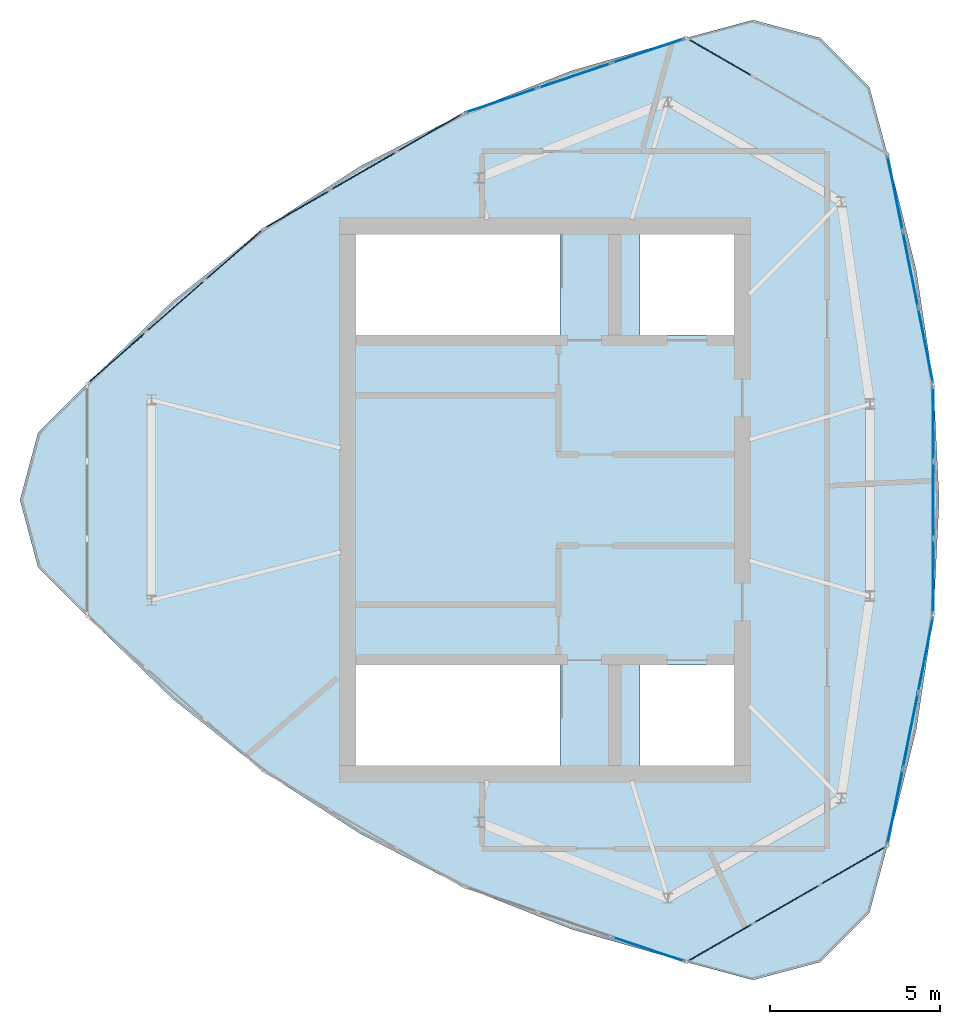
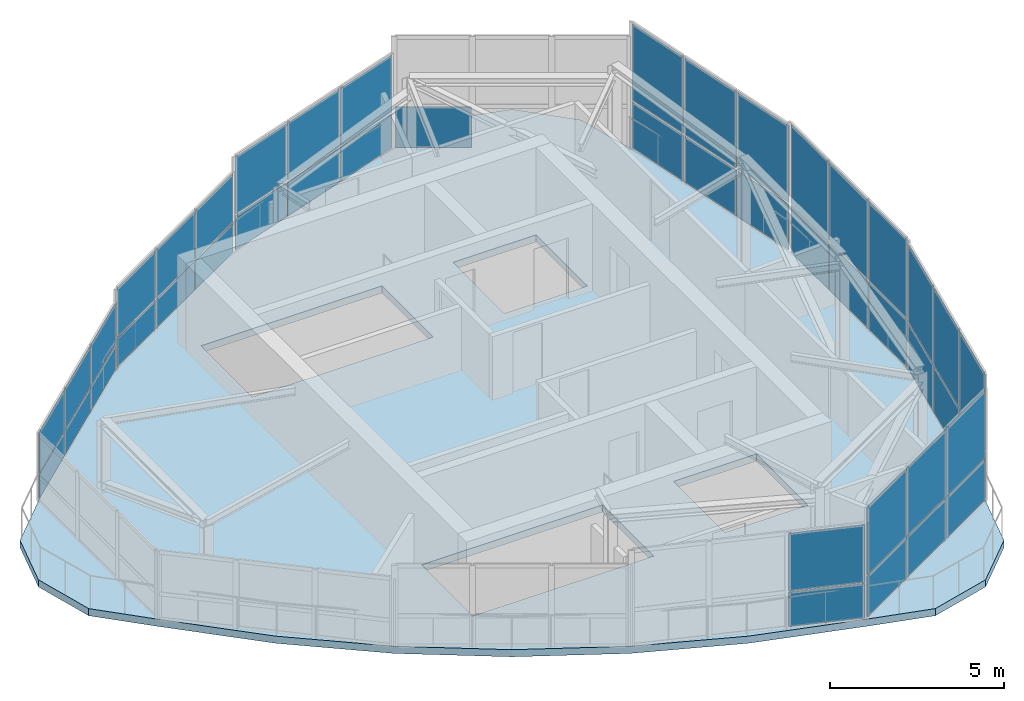
# One storey, part 6 of 9: 45 plates, 1 slab, 9 elements without a shape of their own.
"""IFC4 building model written with IfcOpenShell, lengths in metres."""

import ifcopenshell
import ifcopenshell.guid

model = None  # the IFC model being written
_history = None  # IfcOwnerHistory: only IFC2X3 demands one
_inside = {}  # id of a spatial element -> (the spatial element, [elements in it])
_under = {}  # id of a project, library or spatial element -> (it, [spatial elements below it])
_declared = {}  # id of a project -> (the project, [libraries it declares])
_typed = {}  # id of a type object -> (the type object, [elements of that type])
_made_of = {}  # id of a material, layer set ... -> (it, [elements and type objects made of it])


def new_model(schema):
    """Start an empty IFC model of exactly this schema.

    Asked for "IFC4X3", IfcOpenShell would pick the latest addendum, in which some entities
    have other attributes; the version numbers below select the first issue.
    IFC2X3 requires an IfcOwnerHistory on every rooted entity: one is made here for all.
    """
    global model, _history
    if schema == "IFC4X3":
        model = ifcopenshell.file(schema_version=(4, 3, 0, 0))
    else:
        model = ifcopenshell.file(schema=schema)
    _inside.clear()
    _under.clear()
    _declared.clear()
    _typed.clear()
    _made_of.clear()
    _history = None
    if model.schema == "IFC2X3":
        org = make("IfcOrganization", Name="unknown")
        user = make(
            "IfcPersonAndOrganization",
            ThePerson=make("IfcPerson", FamilyName="unknown"),
            TheOrganization=org,
        )
        app = make(
            "IfcApplication",
            ApplicationDeveloper=org,
            Version="unknown",
            ApplicationFullName="unknown",
            ApplicationIdentifier="unknown",
        )
        _history = make(
            "IfcOwnerHistory",
            OwningUser=user,
            OwningApplication=app,
            ChangeAction="ADDED",
            CreationDate=0,
        )
    return model


def make(cls, **values):
    """One entity of the class cls with the attributes given. An attribute that is None is left unset."""
    return model.create_entity(
        cls, **{name: value for name, value in values.items() if value is not None}
    )


def rooted(cls, **values):
    """An entity with a GlobalId (a new one), such as an element, a storey or a relation."""
    return make(cls, GlobalId=ifcopenshell.guid.new(), OwnerHistory=_history, **values)


def si_unit(unit_type, name, prefix=None):
    """IfcSIUnit, for example si_unit("LENGTHUNIT", "METRE", prefix="MILLI")."""
    return make("IfcSIUnit", UnitType=unit_type, Prefix=prefix, Name=name)


def assignment(units):
    """IfcUnitAssignment: the units of a project."""
    return None if units is None else make("IfcUnitAssignment", Units=units)


def point(xyz):
    """IfcCartesianPoint."""
    return None if xyz is None else make("IfcCartesianPoint", Coordinates=xyz)


def direction(xyz):
    """IfcDirection."""
    return None if xyz is None else make("IfcDirection", DirectionRatios=xyz)


def frame(location, z_axis=None, x_axis=None):
    """IfcAxis2Placement3D, a coordinate frame: its origin and axes. An axis left out is left unset."""
    return make(
        "IfcAxis2Placement3D",
        Location=point(location),
        Axis=direction(z_axis),
        RefDirection=direction(x_axis),
    )


def frame_2d(location, x_axis=None):
    """IfcAxis2Placement2D, a coordinate frame in the plane: its origin and x axis."""
    return make(
        "IfcAxis2Placement2D", Location=point(location), RefDirection=direction(x_axis)
    )


def origin():
    """The frame at (0, 0, 0) with its axes left unset."""
    return frame((0.0, 0.0, 0.0))


def origin_2d():
    """The frame at (0, 0) in the plane with its x axis left unset."""
    return frame_2d((0.0, 0.0))


def place(relative_to, where):
    """IfcLocalPlacement: puts the frame where relative to a parent placement (None: the world)."""
    return make(
        "IfcLocalPlacement", PlacementRelTo=relative_to, RelativePlacement=where
    )


def context(
    kind, dimensions, precision=None, world=None, true_north=None, identifier=None
):
    """IfcGeometricRepresentationContext, for example the 3D "Model" context."""
    return make(
        "IfcGeometricRepresentationContext",
        ContextIdentifier=identifier,
        ContextType=kind,
        CoordinateSpaceDimension=dimensions,
        Precision=precision,
        WorldCoordinateSystem=world,
        TrueNorth=true_north,
    )


def subcontext(parent, identifier, kind, view, scale=None):
    """IfcGeometricRepresentationSubContext, for example "Body" below "Model"."""
    return make(
        "IfcGeometricRepresentationSubContext",
        ContextIdentifier=identifier,
        ContextType=kind,
        ParentContext=parent,
        TargetScale=scale,
        TargetView=view,
    )


def project(units=None, contexts=None):
    """IfcProject with its units and contexts."""
    return rooted(
        "IfcProject",
        Name="project",
        RepresentationContexts=contexts,
        UnitsInContext=assignment(units),
    )


def spatial(cls, under=None, at=None, **own):
    """A site, building, storey or space (cls), placed at a placement, below another one or the project."""
    s = rooted(cls, ObjectPlacement=at, **own)
    if under is not None:
        _under.setdefault(under.id(), (under, []))[1].append(s)
    return s


def polyline(points):
    """IfcPolyline through the points."""
    return make("IfcPolyline", Points=[point(p) for p in points])


def profile(cls, at=None, kind="AREA", **sizes):
    """A parametric profile (cls). Its sizes go by their IFC names, for example OverallWidth=200.0."""
    return make(cls, ProfileType=kind, Position=at, **sizes)


def rectangle(**sizes):
    """IfcRectangleProfileDef."""
    return profile("IfcRectangleProfileDef", **sizes)


def outline(outer, holes=None, kind="AREA"):
    """IfcArbitraryClosedProfileDef: a profile drawn as a closed curve; with holes, ...WithVoids."""
    if holes is None:
        return make("IfcArbitraryClosedProfileDef", ProfileType=kind, OuterCurve=outer)
    return make(
        "IfcArbitraryProfileDefWithVoids",
        ProfileType=kind,
        OuterCurve=outer,
        InnerCurves=holes,
    )


def extrude(swept, where, along, depth):
    """IfcExtrudedAreaSolid: the profile swept, set in the frame where, extruded along a direction by depth."""
    return make(
        "IfcExtrudedAreaSolid",
        SweptArea=swept,
        Position=where,
        ExtrudedDirection=direction(along),
        Depth=depth,
    )


def shape(context_of_items, identifier, shape_type, items):
    """IfcShapeRepresentation: the items that make up one representation, for example the "Body"."""
    return make(
        "IfcShapeRepresentation",
        ContextOfItems=context_of_items,
        RepresentationIdentifier=identifier,
        RepresentationType=shape_type,
        Items=items,
    )


def source(mapping_origin, context_of_items, identifier, shape_type, items):
    """IfcRepresentationMap: a shape defined once, which mapped items show again and again."""
    return make(
        "IfcRepresentationMap",
        MappingOrigin=mapping_origin,
        MappedRepresentation=shape(context_of_items, identifier, shape_type, items),
    )


def transform(
    local_origin,
    x_axis=None,
    y_axis=None,
    z_axis=None,
    scale=None,
    scale2=None,
    scale3=None,
    uniform=True,
):
    """IfcCartesianTransformationOperator3D, or its non-uniform kind. x_axis, y_axis, z_axis: its Axis1, 2, 3."""
    if uniform:
        return make(
            "IfcCartesianTransformationOperator3D",
            Axis1=direction(x_axis),
            Axis2=direction(y_axis),
            LocalOrigin=point(local_origin),
            Scale=scale,
            Axis3=direction(z_axis),
        )
    return make(
        "IfcCartesianTransformationOperator3DnonUniform",
        Axis1=direction(x_axis),
        Axis2=direction(y_axis),
        LocalOrigin=point(local_origin),
        Scale=scale,
        Axis3=direction(z_axis),
        Scale2=scale2,
        Scale3=scale3,
    )


def mapped(mapping_source, mapping_target):
    """IfcMappedItem: shows the shape of a source again, moved by a transform."""
    return make(
        "IfcMappedItem", MappingSource=mapping_source, MappingTarget=mapping_target
    )


def material(Name=None, Category=None):
    """IfcMaterial."""
    return make("IfcMaterial", Name=Name, Category=Category)


def layer(
    of_material, thickness, ventilated=None, Name=None, Category=None, Priority=None
):
    """IfcMaterialLayer: one layer of a wall or slab, of a material (None: an air gap)."""
    return make(
        "IfcMaterialLayer",
        Material=of_material,
        LayerThickness=thickness,
        IsVentilated=ventilated,
        Name=Name,
        Category=Category,
        Priority=Priority,
    )


def layer_set(layers, Name=None):
    """IfcMaterialLayerSet."""
    return make("IfcMaterialLayerSet", MaterialLayers=layers, LayerSetName=Name)


def made_of(thing, what):
    """Note that an element or type object is made of a material, layer set ...; save() writes the relation."""
    if what is not None:
        _made_of.setdefault(what.id(), (what, []))[1].append(thing)
    return thing


def type_object(cls, material=None, **own):
    """A type object (cls), such as IfcWallType, which elements share."""
    return made_of(rooted(cls, **own), material)


def element(
    cls,
    number,
    at=None,
    inside=None,
    cuts=None,
    type_object=None,
    material=None,
    context=None,
    identifier="Body",
    shape_type=None,
    held_by="IfcProductDefinitionShape",
    body=None,
    shapes=None,
    **own,
):
    """One element of the class cls, such as IfcWall. Its Tag is "e" and its number.

    at: its placement. inside: the storey or other place that contains it. cuts: it is an
    opening in that element (IfcRelVoidsElement). A single representation is given by context,
    identifier, shape_type and body (its items); several are given by shapes. held_by: the class
    of the entity that holds the representations. save() writes the other relations.
    """
    e = rooted(cls, Tag="e%d" % number, ObjectPlacement=at, **own)
    if body is not None:
        shapes = [shape(context, identifier, shape_type, body)]
    if shapes is not None:
        e.Representation = make(held_by, Representations=shapes)
    if inside is not None:
        _inside.setdefault(inside.id(), (inside, []))[1].append(e)
    if cuts is not None:
        rooted(
            "IfcRelVoidsElement", RelatingBuildingElement=cuts, RelatedOpeningElement=e
        )
    if type_object is not None:
        _typed.setdefault(type_object.id(), (type_object, []))[1].append(e)
    return made_of(e, material)


def aggregate(whole, parts):
    """IfcRelAggregates: a whole, such as a stair, and the parts it consists of."""
    return rooted("IfcRelAggregates", RelatingObject=whole, RelatedObjects=parts)


def save(model, path):
    """Write the relations noted so far, then the file.

    IfcRelAggregates (storeys below a building ...), IfcRelContainedInSpatialStructure (elements
    in a storey), IfcRelDefinesByType, IfcRelAssociatesMaterial and IfcRelDeclares: one each for
    every whole, place, type object, material and project.
    """
    for whole, parts in _under.values():
        aggregate(whole, parts)
    for where, things in _inside.values():
        rooted(
            "IfcRelContainedInSpatialStructure",
            RelatedElements=things,
            RelatingStructure=where,
        )
    for kind, things in _typed.values():
        rooted("IfcRelDefinesByType", RelatedObjects=things, RelatingType=kind)
    for what, things in _made_of.values():
        rooted("IfcRelAssociatesMaterial", RelatedObjects=things, RelatingMaterial=what)
    for by, libraries in _declared.values():
        rooted("IfcRelDeclares", RelatingContext=by, RelatedDefinitions=libraries)
    model.write(path)


model = new_model("IFC4")

# Units and contexts
model_context = context("Model", 3, precision=1e-05, world=origin(), true_north=direction((0.0, 1.0)))
body_context = subcontext(model_context, "Body", "Model", "MODEL_VIEW")
ifc_project = project(units=[si_unit("LENGTHUNIT", "METRE"), si_unit("AREAUNIT", "SQUARE_METRE"), si_unit("VOLUMEUNIT", "CUBIC_METRE"), si_unit("PLANEANGLEUNIT", "RADIAN"), si_unit("MASSUNIT", "GRAM", prefix="KILO")], contexts=[model_context])

# Site, building, storey
site_placement = place(None, origin())
site = spatial("IfcSite", under=ifc_project, at=site_placement, CompositionType="ELEMENT")
building_placement = place(site_placement, origin())
building = spatial("IfcBuilding", under=site, at=building_placement, Name="Qafzar Sky-Pleat Residences", CompositionType="ELEMENT")
storey_placement = place(building_placement, frame((0.0, 0.0, 274.699951171875)))
storey = spatial("IfcBuildingStorey", under=building, at=storey_placement, Name="L81 Crown", CompositionType="ELEMENT", Elevation=274.699951171875)

# Slab
ifc_material_1 = material(Name="Concrete C40/50", Category="concrete")
ifc_layer_1 = layer(ifc_material_1, 0.25)
ifc_layer_set_1 = layer_set([ifc_layer_1], Name="Concrete C40/50")
slab_type = type_object("IfcSlabType", Name="SLAB-FLR-250", PredefinedType="FLOOR", material=ifc_layer_set_1)
slab_placement = place(storey_placement, frame((0.0, 0.0, -0.25)))
element("IfcSlab", 1, at=slab_placement, inside=storey, type_object=slab_type, Name="L81 Crown Crown Plant Floor Slab", PredefinedType="FLOOR", context=body_context, shape_type="SweptSolid", body=[
    extrude(outline(polyline([(16.885498046875, 29.41552734375), (15.44189453125, 27.971923828125), (14.91357421875, 26.0), (15.44189453125, 24.028076171875), (16.885498046875, 22.58447265625), (19.3974609375, 20.155517578125), (22.078857421875, 18.0205078125), (24.9296875, 16.1787109375), (27.949951171875, 14.630615234375), (31.139892578125, 13.376220703125), (34.499267578125, 12.4150390625), (36.47119140625, 11.88671875), (38.443115234375, 12.4150390625), (39.88671875, 13.858642578125), (40.415283203125, 15.830810546875), (41.2626953125, 19.220458984375), (41.77099609375, 22.610107421875), (41.940673828125, 26.0), (41.77099609375, 29.389892578125), (41.2626953125, 32.779541015625), (40.415283203125, 36.169189453125), (39.88671875, 38.141357421875), (38.443115234375, 39.5849609375), (36.47119140625, 40.11328125), (34.499267578125, 39.5849609375), (31.139892578125, 38.623779296875), (27.949951171875, 37.369384765625), (24.9296875, 35.8212890625), (22.078857421875, 33.9794921875), (19.3974609375, 31.844482421875), (16.885498046875, 29.41552734375)]), holes=[polyline([(30.797119140625, 21.14990234375), (24.800048828125, 21.14990234375), (24.800048828125, 18.199951171875), (30.797119140625, 18.199951171875), (30.797119140625, 21.14990234375)]), polyline([(30.797119140625, 33.800048828125), (24.800048828125, 33.800048828125), (24.800048828125, 30.85009765625), (30.797119140625, 30.85009765625), (30.797119140625, 33.800048828125)]), polyline([(33.14990234375, 18.199951171875), (35.89990234375, 18.199951171875), (35.89990234375, 21.14990234375), (33.14990234375, 21.14990234375), (33.14990234375, 18.199951171875)]), polyline([(33.14990234375, 30.85009765625), (35.89990234375, 30.85009765625), (35.89990234375, 33.800048828125), (33.14990234375, 33.800048828125), (33.14990234375, 30.85009765625)])]), origin(), (0.0, 0.0, 1.0), 0.25),
])

# Curtain wall, plates
ifc_material_2 = material(Name="Anodised bronze aluminium framing", Category="aluminium")
ifc_layer_2 = layer(ifc_material_2, 0.179931640625)
ifc_layer_set_2 = layer_set([ifc_layer_2], Name="Anodised bronze aluminium framing")
curtain_wall_type = type_object("IfcCurtainWallType", Name="CW-SYS-06", PredefinedType="NOTDEFINED", material=ifc_layer_set_2)
curtain_wall_1_placement = place(storey_placement, origin())
curtain_wall_1 = element("IfcCurtainWall", 2, at=curtain_wall_1_placement, inside=storey, type_object=curtain_wall_type, Name="L81 Crown CW-06 Curtain Wall CW-CROWN-06-12", PredefinedType="NOTDEFINED")
ifc_material_3 = material(Name="Solar-control double low-E glazing", Category="glass")
ifc_layer_3 = layer(ifc_material_3, 0.02587890625)
ifc_layer_set_3 = layer_set([ifc_layer_3], Name="Solar-control double low-E glazing")
plate_type = type_object("IfcPlateType", Name="CWP-06", PredefinedType="CURTAIN_PANEL", material=ifc_layer_set_3)
shared_shape_1 = source(origin(), body_context, "Body", "SweptSolid", [
    extrude(rectangle(XDim=2.214599609375, YDim=0.02587890625, at=origin_2d()), origin(), (0.0, 0.0, 1.0), 0.822998046875),
])
plate_1_placement = place(storey_placement, frame((21.201904296875, 33.208984375, 0.06005859375), z_axis=(0.0, 0.0, 1.0), x_axis=(-0.7511449033, -0.660137360136, 0.0)))
plate_1 = element("IfcPlate", 3, at=plate_1_placement, type_object=plate_type, Name="CW-06 panel 1.1", PredefinedType="CURTAIN_PANEL", context=body_context, shape_type="MappedRepresentation", body=[
    mapped(shared_shape_1, transform((0.0, 0.0, 0.0), x_axis=(1.0, 0.0, 0.0), y_axis=(0.0, 1.0, 0.0), z_axis=(0.0, 0.0, 1.0), scale=1.0)),
])
plate_2_placement = place(storey_placement, frame((17.762451171875, 30.186279296875, 0.06005859375), z_axis=(0.0, 0.0, 1.0), x_axis=(-0.7511449033, -0.660137360136, 0.0)))
plate_2 = element("IfcPlate", 4, at=plate_2_placement, type_object=plate_type, Name="CW-06 panel 3.1", PredefinedType="CURTAIN_PANEL", context=body_context, shape_type="MappedRepresentation", body=[
    mapped(shared_shape_1, transform((0.0, 0.0, 0.0), x_axis=(1.0, 0.0, 0.0), y_axis=(0.0, 1.0, 0.0), z_axis=(0.0, 0.0, 1.0), scale=1.0)),
])
shared_shape_2 = source(origin(), body_context, "Body", "SweptSolid", [
    extrude(rectangle(XDim=2.214599609375, YDim=0.02587890625, at=origin_2d()), origin(), (0.0, 0.0, 1.0), 1.39990234375),
])
plate_3_placement = place(storey_placement, frame((21.201904296875, 33.208984375, 0.943115234375), z_axis=(0.0, 0.0, 1.0), x_axis=(-0.7511449033, -0.660137360136, 0.0)))
plate_3 = element("IfcPlate", 5, at=plate_3_placement, type_object=plate_type, Name="CW-06 panel 1.2", PredefinedType="CURTAIN_PANEL", context=body_context, shape_type="MappedRepresentation", body=[
    mapped(shared_shape_2, transform((0.0, 0.0, 0.0), x_axis=(1.0, 0.0, 0.0), y_axis=(0.0, 1.0, 0.0), z_axis=(0.0, 0.0, 1.0), scale=1.0)),
])
plate_4_placement = place(storey_placement, frame((17.762451171875, 30.186279296875, 0.943115234375), z_axis=(0.0, 0.0, 1.0), x_axis=(-0.7511449033, -0.660137360136, 0.0)))
plate_4 = element("IfcPlate", 6, at=plate_4_placement, type_object=plate_type, Name="CW-06 panel 3.2", PredefinedType="CURTAIN_PANEL", context=body_context, shape_type="MappedRepresentation", body=[
    mapped(shared_shape_2, transform((0.0, 0.0, 0.0), x_axis=(1.0, 0.0, 0.0), y_axis=(0.0, 1.0, 0.0), z_axis=(0.0, 0.0, 1.0), scale=1.0)),
])
shared_shape_3 = source(origin(), body_context, "Body", "SweptSolid", [
    extrude(rectangle(XDim=2.24462890625, YDim=0.02587890625, at=origin_2d()), origin(), (0.0, 0.0, 1.0), 0.822998046875),
])
plate_5_placement = place(storey_placement, frame((19.482177734375, 31.697509765625, 0.06005859375), z_axis=(0.0, 0.0, 1.0), x_axis=(-0.7511449033, -0.660137360136, 0.0)))
plate_5 = element("IfcPlate", 7, at=plate_5_placement, type_object=plate_type, Name="CW-06 panel 2.1", PredefinedType="CURTAIN_PANEL", context=body_context, shape_type="MappedRepresentation", body=[
    mapped(shared_shape_3, transform((0.0, 0.0, 0.0), x_axis=(1.0, 0.0, 0.0), y_axis=(0.0, 1.0, 0.0), z_axis=(0.0, 0.0, 1.0), scale=1.0)),
])
shared_shape_4 = source(origin(), body_context, "Body", "SweptSolid", [
    extrude(rectangle(XDim=2.24462890625, YDim=0.02587890625, at=origin_2d()), origin(), (0.0, 0.0, 1.0), 1.39990234375),
])
plate_6_placement = place(storey_placement, frame((19.482177734375, 31.697509765625, 0.943115234375), z_axis=(0.0, 0.0, 1.0), x_axis=(-0.7511449033, -0.660137360136, 0.0)))
plate_6 = element("IfcPlate", 8, at=plate_6_placement, type_object=plate_type, Name="CW-06 panel 2.2", PredefinedType="CURTAIN_PANEL", context=body_context, shape_type="MappedRepresentation", body=[
    mapped(shared_shape_4, transform((0.0, 0.0, 0.0), x_axis=(1.0, 0.0, 0.0), y_axis=(0.0, 1.0, 0.0), z_axis=(0.0, 0.0, 1.0), scale=1.0)),
])
aggregate(curtain_wall_1, [plate_1, plate_3, plate_5, plate_6, plate_2, plate_4])

curtain_wall_2_placement = place(storey_placement, origin())
curtain_wall_2 = element("IfcCurtainWall", 9, at=curtain_wall_2_placement, inside=storey, type_object=curtain_wall_type, Name="L81 Crown CW-06 Curtain Wall CW-CROWN-06-11", PredefinedType="NOTDEFINED")
shared_shape_5 = source(origin(), body_context, "Body", "SweptSolid", [
    extrude(rectangle(XDim=2.169921875, YDim=0.02587890625, at=origin_2d()), origin(), (0.0, 0.0, 1.0), 0.995849609375),
])
plate_7_placement = place(storey_placement, frame((26.95849609375, 36.796875, 0.06005859375), z_axis=(0.0, 0.0, 1.0), x_axis=(-0.866027888398, -0.499995696498, 0.0)))
plate_7 = element("IfcPlate", 10, at=plate_7_placement, type_object=plate_type, Name="CW-06 panel 1.1", PredefinedType="CURTAIN_PANEL", context=body_context, shape_type="MappedRepresentation", body=[
    mapped(shared_shape_5, transform((0.0, 0.0, 0.0), x_axis=(1.0, 0.0, 0.0), y_axis=(0.0, 1.0, 0.0), z_axis=(0.0, 0.0, 1.0), scale=1.0)),
])
plate_8_placement = place(storey_placement, frame((23.0703125, 34.552001953125, 0.06005859375), z_axis=(0.0, 0.0, 1.0), x_axis=(-0.866027888398, -0.499995696498, 0.0)))
plate_8 = element("IfcPlate", 11, at=plate_8_placement, type_object=plate_type, Name="CW-06 panel 3.1", PredefinedType="CURTAIN_PANEL", context=body_context, shape_type="MappedRepresentation", body=[
    mapped(shared_shape_5, transform((0.0, 0.0, 0.0), x_axis=(1.0, 0.0, 0.0), y_axis=(0.0, 1.0, 0.0), z_axis=(0.0, 0.0, 1.0), scale=1.0)),
])
shared_shape_6 = source(origin(), body_context, "Body", "SweptSolid", [
    extrude(rectangle(XDim=2.169921875, YDim=0.02587890625, at=origin_2d()), origin(), (0.0, 0.0, 1.0), 1.681396484375),
])
plate_9_placement = place(storey_placement, frame((26.95849609375, 36.796875, 1.11572265625), z_axis=(0.0, 0.0, 1.0), x_axis=(-0.866027888398, -0.499995696498, 0.0)))
plate_9 = element("IfcPlate", 12, at=plate_9_placement, type_object=plate_type, Name="CW-06 panel 1.2", PredefinedType="CURTAIN_PANEL", context=body_context, shape_type="MappedRepresentation", body=[
    mapped(shared_shape_6, transform((0.0, 0.0, 0.0), x_axis=(1.0, 0.0, 0.0), y_axis=(0.0, 1.0, 0.0), z_axis=(0.0, 0.0, 1.0), scale=1.0)),
])
plate_10_placement = place(storey_placement, frame((23.0703125, 34.552001953125, 1.11572265625), z_axis=(0.0, 0.0, 1.0), x_axis=(-0.866027888398, -0.499995696498, 0.0)))
plate_10 = element("IfcPlate", 13, at=plate_10_placement, type_object=plate_type, Name="CW-06 panel 3.2", PredefinedType="CURTAIN_PANEL", context=body_context, shape_type="MappedRepresentation", body=[
    mapped(shared_shape_6, transform((0.0, 0.0, 0.0), x_axis=(1.0, 0.0, 0.0), y_axis=(0.0, 1.0, 0.0), z_axis=(0.0, 0.0, 1.0), scale=1.0)),
])
shared_shape_7 = source(origin(), body_context, "Body", "SweptSolid", [
    extrude(rectangle(XDim=2.19970703125, YDim=0.02587890625, at=origin_2d()), origin(), (0.0, 0.0, 1.0), 0.995849609375),
])
plate_11_placement = place(storey_placement, frame((25.014404296875, 35.674560546875, 0.06005859375), z_axis=(0.0, 0.0, 1.0), x_axis=(-0.866027888398, -0.499995696498, 0.0)))
plate_11 = element("IfcPlate", 14, at=plate_11_placement, type_object=plate_type, Name="CW-06 panel 2.1", PredefinedType="CURTAIN_PANEL", context=body_context, shape_type="MappedRepresentation", body=[
    mapped(shared_shape_7, transform((0.0, 0.0, 0.0), x_axis=(1.0, 0.0, 0.0), y_axis=(0.0, 1.0, 0.0), z_axis=(0.0, 0.0, 1.0), scale=1.0)),
])
shared_shape_8 = source(origin(), body_context, "Body", "SweptSolid", [
    extrude(rectangle(XDim=2.19970703125, YDim=0.02587890625, at=origin_2d()), origin(), (0.0, 0.0, 1.0), 1.681396484375),
])
plate_12_placement = place(storey_placement, frame((25.014404296875, 35.674560546875, 1.11572265625), z_axis=(0.0, 0.0, 1.0), x_axis=(-0.866027888398, -0.499995696498, 0.0)))
plate_12 = element("IfcPlate", 15, at=plate_12_placement, type_object=plate_type, Name="CW-06 panel 2.2", PredefinedType="CURTAIN_PANEL", context=body_context, shape_type="MappedRepresentation", body=[
    mapped(shared_shape_8, transform((0.0, 0.0, 0.0), x_axis=(1.0, 0.0, 0.0), y_axis=(0.0, 1.0, 0.0), z_axis=(0.0, 0.0, 1.0), scale=1.0)),
])
aggregate(curtain_wall_2, [plate_7, plate_9, plate_11, plate_12, plate_8, plate_10])

# Curtain wall, plate
curtain_wall_3_placement = place(storey_placement, origin())
curtain_wall_3 = element("IfcCurtainWall", 16, at=curtain_wall_3_placement, inside=storey, type_object=curtain_wall_type, Name="L81 Crown CW-06 Curtain Wall CW-CROWN-06-04", PredefinedType="NOTDEFINED")
shared_shape_9 = source(origin(), body_context, "Body", "SweptSolid", [
    extrude(rectangle(XDim=2.214599609375, YDim=0.02587890625, at=origin_2d()), origin(), (0.0, 0.0, 1.0), 1.19091796875),
])
plate_13_placement = place(storey_placement, frame((33.3935546875, 12.7890625, 0.06005859375), z_axis=(0.0, 0.0, 1.0), x_axis=(0.947262179954, -0.320459611229, 0.0)))
plate_13 = element("IfcPlate", 17, at=plate_13_placement, type_object=plate_type, Name="CW-06 panel 3.1", PredefinedType="CURTAIN_PANEL", context=body_context, shape_type="MappedRepresentation", body=[
    mapped(shared_shape_9, transform((0.0, 0.0, 0.0), x_axis=(1.0, 0.0, 0.0), y_axis=(0.0, 1.0, 0.0), z_axis=(0.0, 0.0, 1.0), scale=1.0)),
])

# Curtain wall, plates
curtain_wall_4_placement = place(storey_placement, origin())
curtain_wall_4 = element("IfcCurtainWall", 18, at=curtain_wall_4_placement, inside=storey, type_object=curtain_wall_type, Name="L81 Crown CW-06 Curtain Wall CW-CROWN-06-10", PredefinedType="NOTDEFINED")
plate_14_placement = place(storey_placement, frame((33.3935546875, 39.2109375, 0.06005859375), z_axis=(0.0, 0.0, 1.0), x_axis=(-0.947262179954, -0.320459611229, 0.0)))
plate_14 = element("IfcPlate", 19, at=plate_14_placement, type_object=plate_type, Name="CW-06 panel 1.1", PredefinedType="CURTAIN_PANEL", context=body_context, shape_type="MappedRepresentation", body=[
    mapped(shared_shape_9, transform((0.0, 0.0, 0.0), x_axis=(1.0, 0.0, 0.0), y_axis=(0.0, 1.0, 0.0), z_axis=(0.0, 0.0, 1.0), scale=1.0)),
])
plate_15_placement = place(storey_placement, frame((29.0556640625, 37.743408203125, 0.06005859375), z_axis=(0.0, 0.0, 1.0), x_axis=(-0.947262179954, -0.320459611229, 0.0)))
plate_15 = element("IfcPlate", 20, at=plate_15_placement, type_object=plate_type, Name="CW-06 panel 3.1", PredefinedType="CURTAIN_PANEL", context=body_context, shape_type="MappedRepresentation", body=[
    mapped(shared_shape_9, transform((0.0, 0.0, 0.0), x_axis=(1.0, 0.0, 0.0), y_axis=(0.0, 1.0, 0.0), z_axis=(0.0, 0.0, 1.0), scale=1.0)),
])

# Plate
shared_shape_10 = source(origin(), body_context, "Body", "SweptSolid", [
    extrude(rectangle(XDim=2.214599609375, YDim=0.02587890625, at=origin_2d()), origin(), (0.0, 0.0, 1.0), 2.0),
])
plate_16_placement = place(storey_placement, frame((33.3935546875, 12.7890625, 1.31103515625), z_axis=(0.0, 0.0, 1.0), x_axis=(0.947262179954, -0.320459611229, 0.0)))
plate_16 = element("IfcPlate", 21, at=plate_16_placement, type_object=plate_type, Name="CW-06 panel 3.2", PredefinedType="CURTAIN_PANEL", context=body_context, shape_type="MappedRepresentation", body=[
    mapped(shared_shape_10, transform((0.0, 0.0, 0.0), x_axis=(1.0, 0.0, 0.0), y_axis=(0.0, 1.0, 0.0), z_axis=(0.0, 0.0, 1.0), scale=1.0)),
])

aggregate(curtain_wall_3, [plate_13, plate_16])

plate_17_placement = place(storey_placement, frame((33.3935546875, 39.2109375, 1.31103515625), z_axis=(0.0, 0.0, 1.0), x_axis=(-0.947262179954, -0.320459611229, 0.0)))
plate_17 = element("IfcPlate", 22, at=plate_17_placement, type_object=plate_type, Name="CW-06 panel 1.2", PredefinedType="CURTAIN_PANEL", context=body_context, shape_type="MappedRepresentation", body=[
    mapped(shared_shape_10, transform((0.0, 0.0, 0.0), x_axis=(1.0, 0.0, 0.0), y_axis=(0.0, 1.0, 0.0), z_axis=(0.0, 0.0, 1.0), scale=1.0)),
])

plate_18_placement = place(storey_placement, frame((29.0556640625, 37.743408203125, 1.31103515625), z_axis=(0.0, 0.0, 1.0), x_axis=(-0.947262179954, -0.320459611229, 0.0)))
plate_18 = element("IfcPlate", 23, at=plate_18_placement, type_object=plate_type, Name="CW-06 panel 3.2", PredefinedType="CURTAIN_PANEL", context=body_context, shape_type="MappedRepresentation", body=[
    mapped(shared_shape_10, transform((0.0, 0.0, 0.0), x_axis=(1.0, 0.0, 0.0), y_axis=(0.0, 1.0, 0.0), z_axis=(0.0, 0.0, 1.0), scale=1.0)),
])

shared_shape_11 = source(origin(), body_context, "Body", "SweptSolid", [
    extrude(rectangle(XDim=2.24462890625, YDim=0.02587890625, at=origin_2d()), origin(), (0.0, 0.0, 1.0), 1.19091796875),
])
plate_19_placement = place(storey_placement, frame((31.224609375, 38.47705078125, 0.06005859375), z_axis=(0.0, 0.0, 1.0), x_axis=(-0.947262179954, -0.320459611229, 0.0)))
plate_19 = element("IfcPlate", 24, at=plate_19_placement, type_object=plate_type, Name="CW-06 panel 2.1", PredefinedType="CURTAIN_PANEL", context=body_context, shape_type="MappedRepresentation", body=[
    mapped(shared_shape_11, transform((0.0, 0.0, 0.0), x_axis=(1.0, 0.0, 0.0), y_axis=(0.0, 1.0, 0.0), z_axis=(0.0, 0.0, 1.0), scale=1.0)),
])

shared_shape_12 = source(origin(), body_context, "Body", "SweptSolid", [
    extrude(rectangle(XDim=2.24462890625, YDim=0.02587890625, at=origin_2d()), origin(), (0.0, 0.0, 1.0), 2.0),
])
plate_20_placement = place(storey_placement, frame((31.224609375, 38.47705078125, 1.31103515625), z_axis=(0.0, 0.0, 1.0), x_axis=(-0.947262179954, -0.320459611229, 0.0)))
plate_20 = element("IfcPlate", 25, at=plate_20_placement, type_object=plate_type, Name="CW-06 panel 2.2", PredefinedType="CURTAIN_PANEL", context=body_context, shape_type="MappedRepresentation", body=[
    mapped(shared_shape_12, transform((0.0, 0.0, 0.0), x_axis=(1.0, 0.0, 0.0), y_axis=(0.0, 1.0, 0.0), z_axis=(0.0, 0.0, 1.0), scale=1.0)),
])

aggregate(curtain_wall_4, [plate_14, plate_17, plate_19, plate_20, plate_15, plate_18])

# Curtain wall, plates
curtain_wall_5_placement = place(storey_placement, origin())
curtain_wall_5 = element("IfcCurtainWall", 26, at=curtain_wall_5_placement, inside=storey, type_object=curtain_wall_type, Name="L81 Crown CW-06 Curtain Wall CW-CROWN-06-05", PredefinedType="NOTDEFINED")
shared_shape_13 = source(origin(), body_context, "Body", "SweptSolid", [
    extrude(rectangle(XDim=2.18701171875, YDim=0.02587890625, at=origin_2d()), origin(), (0.0, 0.0, 1.0), 1.40869140625),
])
plate_21_placement = place(storey_placement, frame((35.498291015625, 12.991943359375, 0.06005859375), z_axis=(0.0, 0.0, 1.0), x_axis=(0.866025669537, 0.499999539703, 0.0)))
plate_21 = element("IfcPlate", 27, at=plate_21_placement, type_object=plate_type, Name="CW-06 panel 1.1", PredefinedType="CURTAIN_PANEL", context=body_context, shape_type="MappedRepresentation", body=[
    mapped(shared_shape_13, transform((0.0, 0.0, 0.0), x_axis=(1.0, 0.0, 0.0), y_axis=(0.0, 1.0, 0.0), z_axis=(0.0, 0.0, 1.0), scale=1.0)),
])
plate_22_placement = place(storey_placement, frame((39.416259765625, 15.25390625, 0.06005859375), z_axis=(0.0, 0.0, 1.0), x_axis=(0.866025669537, 0.499999539703, 0.0)))
plate_22 = element("IfcPlate", 28, at=plate_22_placement, type_object=plate_type, Name="CW-06 panel 3.1", PredefinedType="CURTAIN_PANEL", context=body_context, shape_type="MappedRepresentation", body=[
    mapped(shared_shape_13, transform((0.0, 0.0, 0.0), x_axis=(1.0, 0.0, 0.0), y_axis=(0.0, 1.0, 0.0), z_axis=(0.0, 0.0, 1.0), scale=1.0)),
])

# Curtain wall, plate
curtain_wall_6_placement = place(storey_placement, origin())
curtain_wall_6 = element("IfcCurtainWall", 29, at=curtain_wall_6_placement, inside=storey, type_object=curtain_wall_type, Name="L81 Crown CW-06 Curtain Wall CW-CROWN-06-09", PredefinedType="NOTDEFINED")
plate_23_placement = place(storey_placement, frame((35.498291015625, 39.008056640625, 0.06005859375), z_axis=(0.0, 0.0, 1.0), x_axis=(-0.866025669537, 0.499999539703, 0.0)))
plate_23 = element("IfcPlate", 30, at=plate_23_placement, type_object=plate_type, Name="CW-06 panel 3.1", PredefinedType="CURTAIN_PANEL", context=body_context, shape_type="MappedRepresentation", body=[
    mapped(shared_shape_13, transform((0.0, 0.0, 0.0), x_axis=(1.0, 0.0, 0.0), y_axis=(0.0, 1.0, 0.0), z_axis=(0.0, 0.0, 1.0), scale=1.0)),
])
aggregate(curtain_wall_6, [plate_23])

# Plate
shared_shape_14 = source(origin(), body_context, "Body", "SweptSolid", [
    extrude(rectangle(XDim=2.18701171875, YDim=0.02587890625, at=origin_2d()), origin(), (0.0, 0.0, 1.0), 2.355224609375),
])
plate_24_placement = place(storey_placement, frame((35.498291015625, 12.991943359375, 1.52880859375), z_axis=(0.0, 0.0, 1.0), x_axis=(0.866025669537, 0.499999539703, 0.0)))
plate_24 = element("IfcPlate", 31, at=plate_24_placement, type_object=plate_type, Name="CW-06 panel 1.2", PredefinedType="CURTAIN_PANEL", context=body_context, shape_type="MappedRepresentation", body=[
    mapped(shared_shape_14, transform((0.0, 0.0, 0.0), x_axis=(1.0, 0.0, 0.0), y_axis=(0.0, 1.0, 0.0), z_axis=(0.0, 0.0, 1.0), scale=1.0)),
])

plate_25_placement = place(storey_placement, frame((39.416259765625, 15.25390625, 1.52880859375), z_axis=(0.0, 0.0, 1.0), x_axis=(0.866025669537, 0.499999539703, 0.0)))
plate_25 = element("IfcPlate", 32, at=plate_25_placement, type_object=plate_type, Name="CW-06 panel 3.2", PredefinedType="CURTAIN_PANEL", context=body_context, shape_type="MappedRepresentation", body=[
    mapped(shared_shape_14, transform((0.0, 0.0, 0.0), x_axis=(1.0, 0.0, 0.0), y_axis=(0.0, 1.0, 0.0), z_axis=(0.0, 0.0, 1.0), scale=1.0)),
])

shared_shape_15 = source(origin(), body_context, "Body", "SweptSolid", [
    extrude(rectangle(XDim=2.217041015625, YDim=0.02587890625, at=origin_2d()), origin(), (0.0, 0.0, 1.0), 1.40869140625),
])
plate_26_placement = place(storey_placement, frame((37.457275390625, 14.122802734375, 0.06005859375), z_axis=(0.0, 0.0, 1.0), x_axis=(0.866025669537, 0.499999539703, 0.0)))
plate_26 = element("IfcPlate", 33, at=plate_26_placement, type_object=plate_type, Name="CW-06 panel 2.1", PredefinedType="CURTAIN_PANEL", context=body_context, shape_type="MappedRepresentation", body=[
    mapped(shared_shape_15, transform((0.0, 0.0, 0.0), x_axis=(1.0, 0.0, 0.0), y_axis=(0.0, 1.0, 0.0), z_axis=(0.0, 0.0, 1.0), scale=1.0)),
])

shared_shape_16 = source(origin(), body_context, "Body", "SweptSolid", [
    extrude(rectangle(XDim=2.217041015625, YDim=0.02587890625, at=origin_2d()), origin(), (0.0, 0.0, 1.0), 2.355224609375),
])
plate_27_placement = place(storey_placement, frame((37.457275390625, 14.122802734375, 1.52880859375), z_axis=(0.0, 0.0, 1.0), x_axis=(0.866025669537, 0.499999539703, 0.0)))
plate_27 = element("IfcPlate", 34, at=plate_27_placement, type_object=plate_type, Name="CW-06 panel 2.2", PredefinedType="CURTAIN_PANEL", context=body_context, shape_type="MappedRepresentation", body=[
    mapped(shared_shape_16, transform((0.0, 0.0, 0.0), x_axis=(1.0, 0.0, 0.0), y_axis=(0.0, 1.0, 0.0), z_axis=(0.0, 0.0, 1.0), scale=1.0)),
])

aggregate(curtain_wall_5, [plate_21, plate_24, plate_26, plate_27, plate_22, plate_25])

# Curtain wall, plates
curtain_wall_7_placement = place(storey_placement, origin())
curtain_wall_7 = element("IfcCurtainWall", 35, at=curtain_wall_7_placement, inside=storey, type_object=curtain_wall_type, Name="L81 Crown CW-06 Curtain Wall CW-CROWN-06-06", PredefinedType="NOTDEFINED")
shared_shape_17 = source(origin(), body_context, "Body", "SweptSolid", [
    extrude(rectangle(XDim=2.214599609375, YDim=0.02587890625, at=origin_2d()), origin(), (0.0, 0.0, 1.0), 1.60546875),
])
plate_28_placement = place(storey_placement, frame((40.64404296875, 16.975341796875, 0.06005859375), z_axis=(0.0, 0.0, 1.0), x_axis=(0.196116135138, 0.980580675691, 0.0)))
plate_28 = element("IfcPlate", 36, at=plate_28_placement, type_object=plate_type, Name="CW-06 panel 1.1", PredefinedType="CURTAIN_PANEL", context=body_context, shape_type="MappedRepresentation", body=[
    mapped(shared_shape_17, transform((0.0, 0.0, 0.0), x_axis=(1.0, 0.0, 0.0), y_axis=(0.0, 1.0, 0.0), z_axis=(0.0, 0.0, 1.0), scale=1.0)),
])
plate_29_placement = place(storey_placement, frame((41.542236328125, 21.465576171875, 0.06005859375), z_axis=(0.0, 0.0, 1.0), x_axis=(0.196116135138, 0.980580675691, 0.0)))
plate_29 = element("IfcPlate", 37, at=plate_29_placement, type_object=plate_type, Name="CW-06 panel 3.1", PredefinedType="CURTAIN_PANEL", context=body_context, shape_type="MappedRepresentation", body=[
    mapped(shared_shape_17, transform((0.0, 0.0, 0.0), x_axis=(1.0, 0.0, 0.0), y_axis=(0.0, 1.0, 0.0), z_axis=(0.0, 0.0, 1.0), scale=1.0)),
])

curtain_wall_8_placement = place(storey_placement, origin())
curtain_wall_8 = element("IfcCurtainWall", 38, at=curtain_wall_8_placement, inside=storey, type_object=curtain_wall_type, Name="L81 Crown CW-06 Curtain Wall CW-CROWN-06-08", PredefinedType="NOTDEFINED")
plate_30_placement = place(storey_placement, frame((41.542236328125, 30.534423828125, 0.06005859375), z_axis=(0.0, 0.0, 1.0), x_axis=(-0.196116135138, 0.980580675691, 0.0)))
plate_30 = element("IfcPlate", 39, at=plate_30_placement, type_object=plate_type, Name="CW-06 panel 1.1", PredefinedType="CURTAIN_PANEL", context=body_context, shape_type="MappedRepresentation", body=[
    mapped(shared_shape_17, transform((0.0, 0.0, 0.0), x_axis=(1.0, 0.0, 0.0), y_axis=(0.0, 1.0, 0.0), z_axis=(0.0, 0.0, 1.0), scale=1.0)),
])
plate_31_placement = place(storey_placement, frame((40.64404296875, 35.024658203125, 0.06005859375), z_axis=(0.0, 0.0, 1.0), x_axis=(-0.196116135138, 0.980580675691, 0.0)))
plate_31 = element("IfcPlate", 40, at=plate_31_placement, type_object=plate_type, Name="CW-06 panel 3.1", PredefinedType="CURTAIN_PANEL", context=body_context, shape_type="MappedRepresentation", body=[
    mapped(shared_shape_17, transform((0.0, 0.0, 0.0), x_axis=(1.0, 0.0, 0.0), y_axis=(0.0, 1.0, 0.0), z_axis=(0.0, 0.0, 1.0), scale=1.0)),
])

# Plate
shared_shape_18 = source(origin(), body_context, "Body", "SweptSolid", [
    extrude(rectangle(XDim=2.214599609375, YDim=0.02587890625, at=origin_2d()), origin(), (0.0, 0.0, 1.0), 2.676025390625),
])
plate_32_placement = place(storey_placement, frame((40.64404296875, 16.975341796875, 1.7255859375), z_axis=(0.0, 0.0, 1.0), x_axis=(0.196116135138, 0.980580675691, 0.0)))
plate_32 = element("IfcPlate", 41, at=plate_32_placement, type_object=plate_type, Name="CW-06 panel 1.2", PredefinedType="CURTAIN_PANEL", context=body_context, shape_type="MappedRepresentation", body=[
    mapped(shared_shape_18, transform((0.0, 0.0, 0.0), x_axis=(1.0, 0.0, 0.0), y_axis=(0.0, 1.0, 0.0), z_axis=(0.0, 0.0, 1.0), scale=1.0)),
])

plate_33_placement = place(storey_placement, frame((41.542236328125, 21.465576171875, 1.7255859375), z_axis=(0.0, 0.0, 1.0), x_axis=(0.196116135138, 0.980580675691, 0.0)))
plate_33 = element("IfcPlate", 42, at=plate_33_placement, type_object=plate_type, Name="CW-06 panel 3.2", PredefinedType="CURTAIN_PANEL", context=body_context, shape_type="MappedRepresentation", body=[
    mapped(shared_shape_18, transform((0.0, 0.0, 0.0), x_axis=(1.0, 0.0, 0.0), y_axis=(0.0, 1.0, 0.0), z_axis=(0.0, 0.0, 1.0), scale=1.0)),
])

plate_34_placement = place(storey_placement, frame((41.542236328125, 30.534423828125, 1.7255859375), z_axis=(0.0, 0.0, 1.0), x_axis=(-0.196116135138, 0.980580675691, 0.0)))
plate_34 = element("IfcPlate", 43, at=plate_34_placement, type_object=plate_type, Name="CW-06 panel 1.2", PredefinedType="CURTAIN_PANEL", context=body_context, shape_type="MappedRepresentation", body=[
    mapped(shared_shape_18, transform((0.0, 0.0, 0.0), x_axis=(1.0, 0.0, 0.0), y_axis=(0.0, 1.0, 0.0), z_axis=(0.0, 0.0, 1.0), scale=1.0)),
])

plate_35_placement = place(storey_placement, frame((40.64404296875, 35.024658203125, 1.7255859375), z_axis=(0.0, 0.0, 1.0), x_axis=(-0.196116135138, 0.980580675691, 0.0)))
plate_35 = element("IfcPlate", 44, at=plate_35_placement, type_object=plate_type, Name="CW-06 panel 3.2", PredefinedType="CURTAIN_PANEL", context=body_context, shape_type="MappedRepresentation", body=[
    mapped(shared_shape_18, transform((0.0, 0.0, 0.0), x_axis=(1.0, 0.0, 0.0), y_axis=(0.0, 1.0, 0.0), z_axis=(0.0, 0.0, 1.0), scale=1.0)),
])

shared_shape_19 = source(origin(), body_context, "Body", "SweptSolid", [
    extrude(rectangle(XDim=2.24462890625, YDim=0.02587890625, at=origin_2d()), origin(), (0.0, 0.0, 1.0), 1.60546875),
])
plate_36_placement = place(storey_placement, frame((41.09326171875, 19.220458984375, 0.06005859375), z_axis=(0.0, 0.0, 1.0), x_axis=(0.196116135138, 0.980580675691, 0.0)))
plate_36 = element("IfcPlate", 45, at=plate_36_placement, type_object=plate_type, Name="CW-06 panel 2.1", PredefinedType="CURTAIN_PANEL", context=body_context, shape_type="MappedRepresentation", body=[
    mapped(shared_shape_19, transform((0.0, 0.0, 0.0), x_axis=(1.0, 0.0, 0.0), y_axis=(0.0, 1.0, 0.0), z_axis=(0.0, 0.0, 1.0), scale=1.0)),
])

plate_37_placement = place(storey_placement, frame((41.09326171875, 32.779541015625, 0.06005859375), z_axis=(0.0, 0.0, 1.0), x_axis=(-0.196116135138, 0.980580675691, 0.0)))
plate_37 = element("IfcPlate", 46, at=plate_37_placement, type_object=plate_type, Name="CW-06 panel 2.1", PredefinedType="CURTAIN_PANEL", context=body_context, shape_type="MappedRepresentation", body=[
    mapped(shared_shape_19, transform((0.0, 0.0, 0.0), x_axis=(1.0, 0.0, 0.0), y_axis=(0.0, 1.0, 0.0), z_axis=(0.0, 0.0, 1.0), scale=1.0)),
])

shared_shape_20 = source(origin(), body_context, "Body", "SweptSolid", [
    extrude(rectangle(XDim=2.24462890625, YDim=0.02587890625, at=origin_2d()), origin(), (0.0, 0.0, 1.0), 2.676025390625),
])
plate_38_placement = place(storey_placement, frame((41.09326171875, 19.220458984375, 1.7255859375), z_axis=(0.0, 0.0, 1.0), x_axis=(0.196116135138, 0.980580675691, 0.0)))
plate_38 = element("IfcPlate", 47, at=plate_38_placement, type_object=plate_type, Name="CW-06 panel 2.2", PredefinedType="CURTAIN_PANEL", context=body_context, shape_type="MappedRepresentation", body=[
    mapped(shared_shape_20, transform((0.0, 0.0, 0.0), x_axis=(1.0, 0.0, 0.0), y_axis=(0.0, 1.0, 0.0), z_axis=(0.0, 0.0, 1.0), scale=1.0)),
])

aggregate(curtain_wall_7, [plate_28, plate_32, plate_36, plate_38, plate_29, plate_33])

plate_39_placement = place(storey_placement, frame((41.09326171875, 32.779541015625, 1.7255859375), z_axis=(0.0, 0.0, 1.0), x_axis=(-0.196116135138, 0.980580675691, 0.0)))
plate_39 = element("IfcPlate", 48, at=plate_39_placement, type_object=plate_type, Name="CW-06 panel 2.2", PredefinedType="CURTAIN_PANEL", context=body_context, shape_type="MappedRepresentation", body=[
    mapped(shared_shape_20, transform((0.0, 0.0, 0.0), x_axis=(1.0, 0.0, 0.0), y_axis=(0.0, 1.0, 0.0), z_axis=(0.0, 0.0, 1.0), scale=1.0)),
])

aggregate(curtain_wall_8, [plate_30, plate_34, plate_37, plate_39, plate_31, plate_35])

# Curtain wall, plates
curtain_wall_9_placement = place(storey_placement, origin())
curtain_wall_9 = element("IfcCurtainWall", 49, at=curtain_wall_9_placement, inside=storey, type_object=curtain_wall_type, Name="L81 Crown CW-06 Curtain Wall CW-CROWN-06-07", PredefinedType="NOTDEFINED")
shared_shape_21 = source(origin(), body_context, "Body", "SweptSolid", [
    extrude(rectangle(XDim=2.169921875, YDim=0.02587890625, at=origin_2d()), origin(), (0.0, 0.0, 1.0), 1.650390625),
])
plate_40_placement = place(storey_placement, frame((41.77099609375, 23.755126953125, 0.06005859375), z_axis=(0.0, 0.0, 1.0), x_axis=(0.0, 1.0, 0.0)))
plate_40 = element("IfcPlate", 50, at=plate_40_placement, type_object=plate_type, Name="CW-06 panel 1.1", PredefinedType="CURTAIN_PANEL", context=body_context, shape_type="MappedRepresentation", body=[
    mapped(shared_shape_21, transform((0.0, 0.0, 0.0), x_axis=(1.0, 0.0, 0.0), y_axis=(0.0, 1.0, 0.0), z_axis=(0.0, 0.0, 1.0), scale=1.0)),
])
plate_41_placement = place(storey_placement, frame((41.77099609375, 28.244873046875, 0.06005859375), z_axis=(0.0, 0.0, 1.0), x_axis=(0.0, 1.0, 0.0)))
plate_41 = element("IfcPlate", 51, at=plate_41_placement, type_object=plate_type, Name="CW-06 panel 3.1", PredefinedType="CURTAIN_PANEL", context=body_context, shape_type="MappedRepresentation", body=[
    mapped(shared_shape_21, transform((0.0, 0.0, 0.0), x_axis=(1.0, 0.0, 0.0), y_axis=(0.0, 1.0, 0.0), z_axis=(0.0, 0.0, 1.0), scale=1.0)),
])
shared_shape_22 = source(origin(), body_context, "Body", "SweptSolid", [
    extrude(rectangle(XDim=2.169921875, YDim=0.02587890625, at=origin_2d()), origin(), (0.0, 0.0, 1.0), 2.749755859375),
])
plate_42_placement = place(storey_placement, frame((41.77099609375, 23.755126953125, 1.7705078125), z_axis=(0.0, 0.0, 1.0), x_axis=(0.0, 1.0, 0.0)))
plate_42 = element("IfcPlate", 52, at=plate_42_placement, type_object=plate_type, Name="CW-06 panel 1.2", PredefinedType="CURTAIN_PANEL", context=body_context, shape_type="MappedRepresentation", body=[
    mapped(shared_shape_22, transform((0.0, 0.0, 0.0), x_axis=(1.0, 0.0, 0.0), y_axis=(0.0, 1.0, 0.0), z_axis=(0.0, 0.0, 1.0), scale=1.0)),
])
plate_43_placement = place(storey_placement, frame((41.77099609375, 28.244873046875, 1.7705078125), z_axis=(0.0, 0.0, 1.0), x_axis=(0.0, 1.0, 0.0)))
plate_43 = element("IfcPlate", 53, at=plate_43_placement, type_object=plate_type, Name="CW-06 panel 3.2", PredefinedType="CURTAIN_PANEL", context=body_context, shape_type="MappedRepresentation", body=[
    mapped(shared_shape_22, transform((0.0, 0.0, 0.0), x_axis=(1.0, 0.0, 0.0), y_axis=(0.0, 1.0, 0.0), z_axis=(0.0, 0.0, 1.0), scale=1.0)),
])
shared_shape_23 = source(origin(), body_context, "Body", "SweptSolid", [
    extrude(rectangle(XDim=2.199951171875, YDim=0.02587890625, at=origin_2d()), origin(), (0.0, 0.0, 1.0), 1.650390625),
])
plate_44_placement = place(storey_placement, frame((41.77099609375, 26.0, 0.06005859375), z_axis=(0.0, 0.0, 1.0), x_axis=(0.0, 1.0, 0.0)))
plate_44 = element("IfcPlate", 54, at=plate_44_placement, type_object=plate_type, Name="CW-06 panel 2.1", PredefinedType="CURTAIN_PANEL", context=body_context, shape_type="MappedRepresentation", body=[
    mapped(shared_shape_23, transform((0.0, 0.0, 0.0), x_axis=(1.0, 0.0, 0.0), y_axis=(0.0, 1.0, 0.0), z_axis=(0.0, 0.0, 1.0), scale=1.0)),
])
shared_shape_24 = source(origin(), body_context, "Body", "SweptSolid", [
    extrude(rectangle(XDim=2.199951171875, YDim=0.02587890625, at=origin_2d()), origin(), (0.0, 0.0, 1.0), 2.749755859375),
])
plate_45_placement = place(storey_placement, frame((41.77099609375, 26.0, 1.7705078125), z_axis=(0.0, 0.0, 1.0), x_axis=(0.0, 1.0, 0.0)))
plate_45 = element("IfcPlate", 55, at=plate_45_placement, type_object=plate_type, Name="CW-06 panel 2.2", PredefinedType="CURTAIN_PANEL", context=body_context, shape_type="MappedRepresentation", body=[
    mapped(shared_shape_24, transform((0.0, 0.0, 0.0), x_axis=(1.0, 0.0, 0.0), y_axis=(0.0, 1.0, 0.0), z_axis=(0.0, 0.0, 1.0), scale=1.0)),
])
aggregate(curtain_wall_9, [plate_40, plate_42, plate_44, plate_45, plate_41, plate_43])

save(model, "model.ifc")
